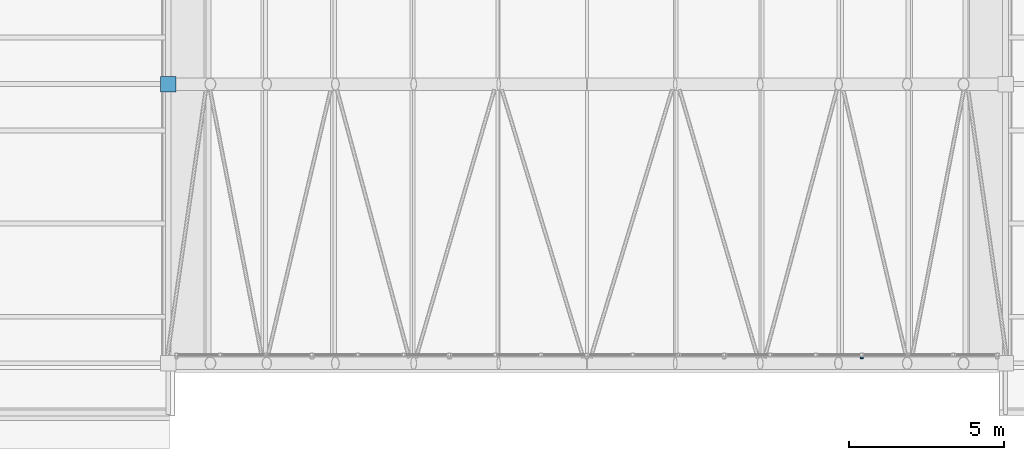
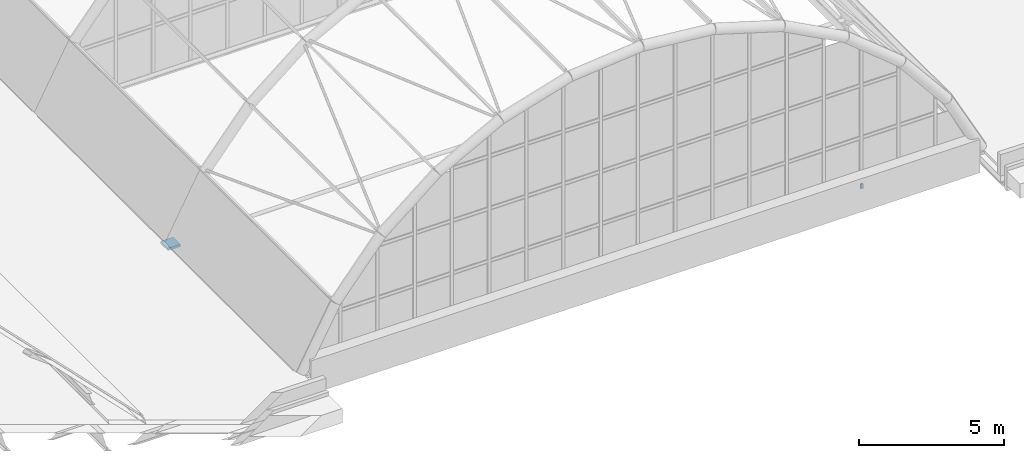
# One storey, part 103 of 121: 2 discrete accessories.
"""IFC4 building model written with IfcOpenShell, lengths in metres."""

from ifc_helpers import new_model, si_unit, direction, frame, origin, origin_2d, place, context, subcontext, project, spatial, rectangle, extrude, material, type_object, element, save


model = new_model("IFC4")

# Units and contexts
model_context = context("Model", 3, precision=1e-05, world=origin(), true_north=direction((0.0, 1.0)))
body_context = subcontext(model_context, "Body", "Model", "MODEL_VIEW")
ifc_project = project(units=[si_unit("LENGTHUNIT", "METRE"), si_unit("AREAUNIT", "SQUARE_METRE"), si_unit("VOLUMEUNIT", "CUBIC_METRE"), si_unit("PLANEANGLEUNIT", "RADIAN"), si_unit("MASSUNIT", "GRAM", prefix="KILO")], contexts=[model_context])

# Site, building, storey
site_placement = place(None, origin())
site = spatial("IfcSite", under=ifc_project, at=site_placement, CompositionType="ELEMENT")
building_placement = place(site_placement, origin())
building = spatial("IfcBuilding", under=site, at=building_placement, Name="Golden Quay Civic Hall", CompositionType="ELEMENT")
storey_placement = place(building_placement, frame((0.0, 0.0, 18.60009765625)))
storey = spatial("IfcBuildingStorey", under=building, at=storey_placement, Name="L04", CompositionType="ELEMENT", Elevation=18.60009765625)

# Discrete accessories
ifc_material_1 = material(Name="Steel S355", Category="steel")
discrete_accessory_type_1 = type_object("IfcDiscreteAccessoryType", Name="Hall screen bracket 100 x 200", PredefinedType="BRACKET", material=ifc_material_1)
discrete_accessory_1_placement = place(storey_placement, frame((94.366943359375, 0.179931640625, -0.10009765625), z_axis=(0.0, 0.0, 1.0), x_axis=(1.0, 0.0, 0.0)))
element("IfcDiscreteAccessory", 1, at=discrete_accessory_1_placement, inside=storey, type_object=discrete_accessory_type_1, Name="Hall screen bracket 15", PredefinedType="BRACKET", context=body_context, shape_type="SweptSolid", body=[
    extrude(rectangle(XDim=0.10009765625, YDim=0.06005859375, at=origin_2d()), origin(), (0.0, 0.0, 1.0), 0.199951171875),
])
ifc_material_2 = material(Name="Steel S355", Category="steel")
discrete_accessory_type_2 = type_object("IfcDiscreteAccessoryType", Name="Steel bearing shoe 500x500x100", PredefinedType="BRACKET", material=ifc_material_2)
discrete_accessory_2_placement = place(storey_placement, frame((72.0, 9.0, -0.000244140625), z_axis=(0.0, 0.0, 1.0), x_axis=(1.0, 0.0, 0.0)))
element("IfcDiscreteAccessory", 2, at=discrete_accessory_2_placement, inside=storey, type_object=discrete_accessory_type_2, Name="Bearing shoe 2", PredefinedType="BRACKET", context=body_context, shape_type="SweptSolid", body=[
    extrude(rectangle(XDim=0.5, YDim=0.5, at=origin_2d()), origin(), (0.0, 0.0, 1.0), 0.10009765625),
])

save(model, "model.ifc")
